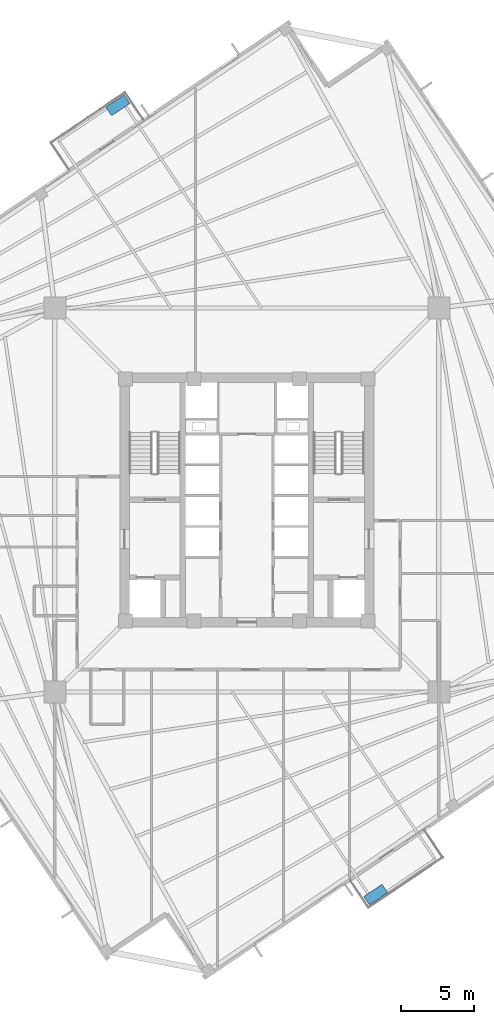
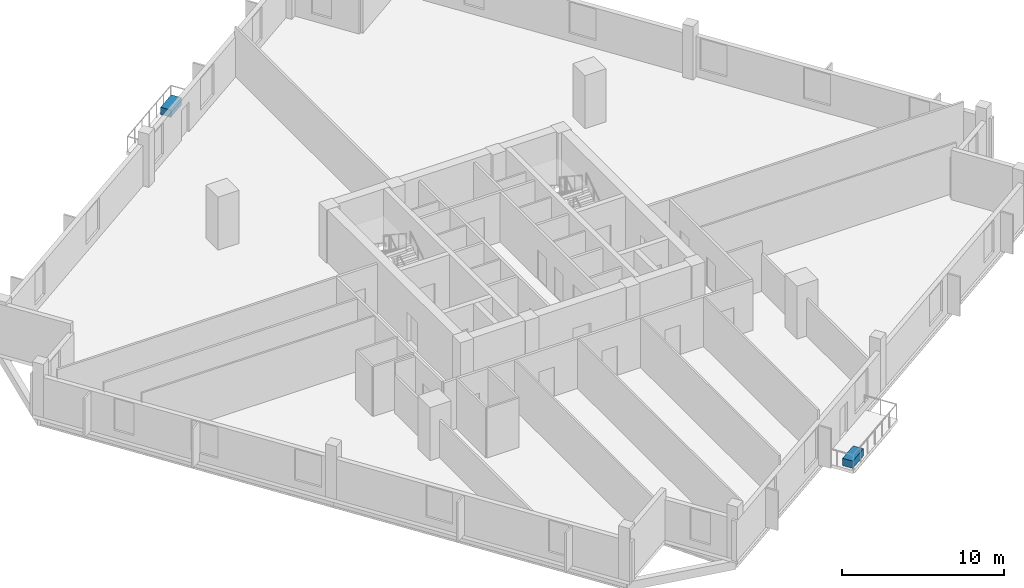
# One storey, part 6 of 9: 2 discrete accessories.
"""IFC4 building model written with IfcOpenShell, lengths in metres."""

from ifc_helpers import new_model, si_unit, direction, frame, origin, origin_2d, place, context, subcontext, project, spatial, rectangle, extrude, source, transform, mapped, material, type_object, element, save


model = new_model("IFC4")

# Units and contexts
model_context = context("Model", 3, precision=1e-05, world=origin(), true_north=direction((0.0, 1.0)))
body_context = subcontext(model_context, "Body", "Model", "MODEL_VIEW")
ifc_project = project(units=[si_unit("LENGTHUNIT", "METRE"), si_unit("AREAUNIT", "SQUARE_METRE"), si_unit("VOLUMEUNIT", "CUBIC_METRE"), si_unit("PLANEANGLEUNIT", "RADIAN"), si_unit("MASSUNIT", "GRAM", prefix="KILO"), si_unit("THERMODYNAMICTEMPERATUREUNIT", "KELVIN")], contexts=[model_context])

# Site, building, storey
site_placement = place(None, origin())
site = spatial("IfcSite", under=ifc_project, at=site_placement, CompositionType="ELEMENT")
building_placement = place(site_placement, origin())
building = spatial("IfcBuilding", under=site, at=building_placement, Name="Kosmvard Interchange Tower", CompositionType="ELEMENT")
storey_placement = place(building_placement, frame((0.0, 0.0, 164.39990234375)))
storey = spatial("IfcBuildingStorey", under=building, at=storey_placement, Name="L39", CompositionType="ELEMENT", Elevation=164.39990234375)

# Discrete accessories
ifc_material = material(Name="Terracotta precast planter concrete C45/55", Category="masonry")
discrete_accessory_type = type_object("IfcDiscreteAccessoryType", Name="Precast Tree-Balcony & Terrace Planter Box", PredefinedType="USERDEFINED", material=ifc_material)
shared_shape = source(origin(), body_context, "Body", "SweptSolid", [
    extrude(rectangle(XDim=1.5, YDim=0.699951171875, at=origin_2d()), origin(), (0.0, 0.0, 1.0), 0.550048828125),
])
for number, where, z_axis, x_axis, name in (
    (1, (8.784912109375, -26.883544921875, 0.0), (0.0, 0.0, 1.0), (0.829037572555, 0.559192903471, 0.0), "L39 Balcony Tree Planter BAL-L39-S"),
    (2, (-8.784912109375, 26.883544921875, 0.0), (0.0, 0.0, 1.0), (0.829037572555, 0.559192903471, 0.0), "L39 Balcony Tree Planter BAL-L39-N"),
):
    element("IfcDiscreteAccessory", number, at=place(storey_placement, frame(where, z_axis=z_axis, x_axis=x_axis)), inside=storey, type_object=discrete_accessory_type, Name=name, ObjectType="PLANTER", PredefinedType="USERDEFINED", context=body_context, shape_type="MappedRepresentation", body=[
        mapped(shared_shape, transform((0.0, 0.0, 0.0), scale=1.0)),
    ])

save(model, "model.ifc")
